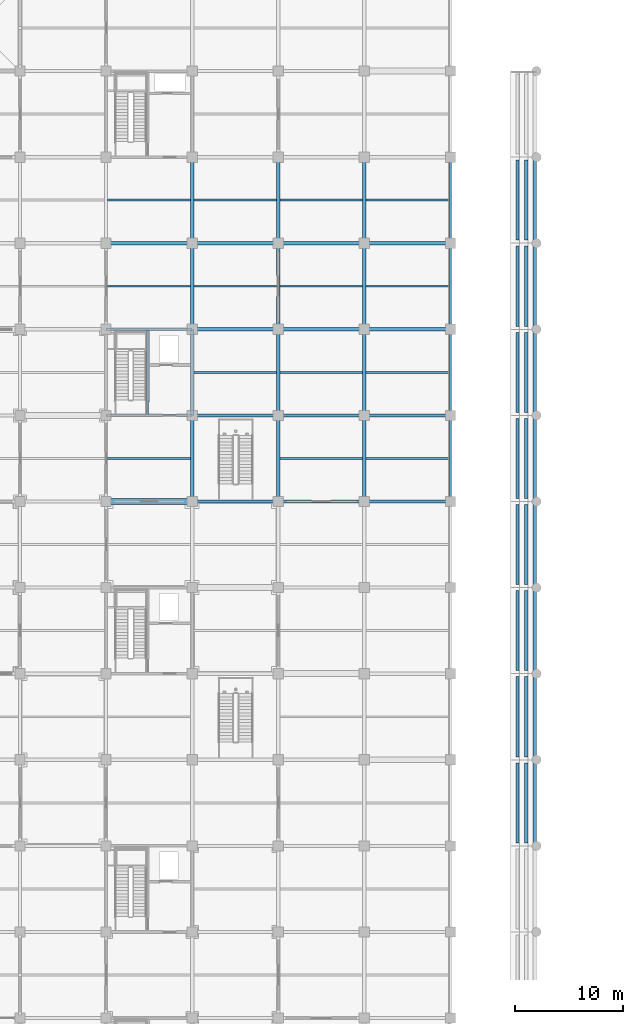
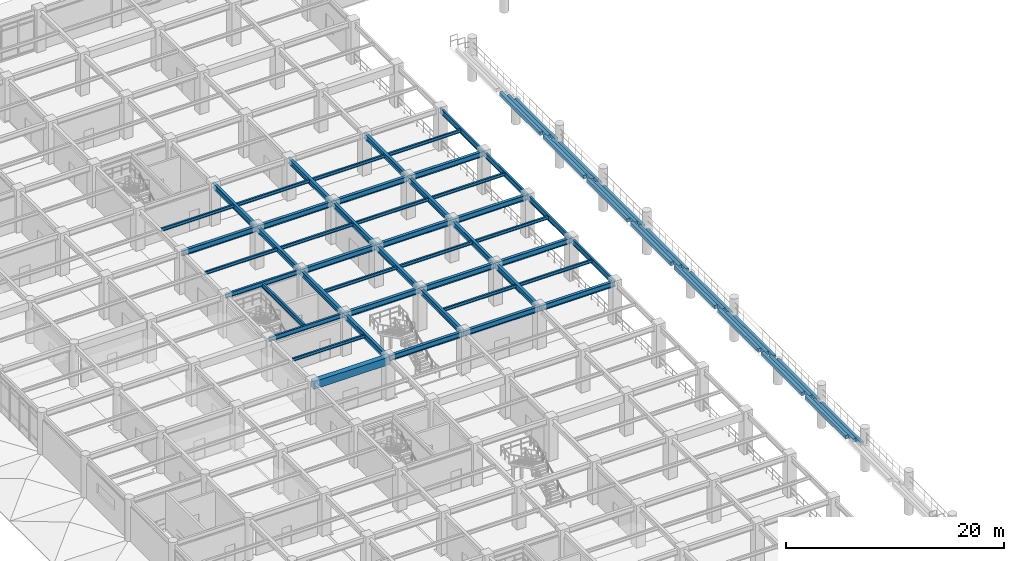
# One storey, part 18 of 109: 71 beams.
"""IFC4 building model written with IfcOpenShell, lengths in metres."""

from ifc_helpers import new_model, si_unit, direction, frame, origin, origin_2d, place, context, subcontext, project, spatial, rectangle, i_section, extrude, material, material_profile, profile_set, type_object, element, save


model = new_model("IFC4")

# Units and contexts
model_context = context("Model", 3, precision=1e-05, world=origin(), true_north=direction((0.0, 1.0)))
body_context = subcontext(model_context, "Body", "Model", "MODEL_VIEW")
ifc_project = project(units=[si_unit("LENGTHUNIT", "METRE"), si_unit("AREAUNIT", "SQUARE_METRE"), si_unit("VOLUMEUNIT", "CUBIC_METRE"), si_unit("PLANEANGLEUNIT", "RADIAN"), si_unit("MASSUNIT", "GRAM", prefix="KILO")], contexts=[model_context])

# Site, building, storey
site_placement = place(None, origin())
site = spatial("IfcSite", under=ifc_project, at=site_placement, CompositionType="ELEMENT")
building_placement = place(site_placement, origin())
building = spatial("IfcBuilding", under=site, at=building_placement, Name="Haebicheon Civic Stadium", CompositionType="ELEMENT")
storey_placement = place(building_placement, frame((0.0, 0.0, 9.60009765625)))
storey = spatial("IfcBuildingStorey", under=building, at=storey_placement, Name="L03", CompositionType="ELEMENT", Elevation=9.60009765625)

# Beams
ifc_material_1 = material(Name="Precast concrete C40/50", Category="concrete")
ifc_material_profile_1 = material_profile(ifc_material_1, rectangle(XDim=0.300048828125, YDim=0.39990234375, at=origin_2d()), Name="PC-LN-300x400")
ifc_profile_set_1 = profile_set([ifc_material_profile_1], Name="Precast concrete C40/50")
beam_type_1 = type_object("IfcBeamType", Name="BM-LN-300x400", PredefinedType="LINTEL", material=ifc_profile_set_1)
for number, where, z_axis, x_axis, name in (
    (1, (71.840087890625, 64.280029296875, 2.760009765625), (0.0, 1.0, 0.0), (-1.0, 0.0, 0.0), "TIER-W-U precast step carrier beam 3.1"),
    (2, (71.0400390625, 64.280029296875, 3.40380859375), (0.0, 1.0, 0.0), (-1.0, 0.0, 0.0), "TIER-W-U precast step carrier beam 3.2"),
    (3, (70.239990234375, 64.280029296875, 4.048828125), (0.0, 1.0, 0.0), (-1.0, 0.0, 0.0), "TIER-W-U precast step carrier beam 3.3"),
    (4, (71.840087890625, 72.280029296875, 2.760009765625), (0.0, 1.0, 0.0), (-1.0, 0.0, 0.0), "TIER-W-U precast step carrier beam 4.1"),
    (5, (71.0400390625, 72.280029296875, 3.40380859375), (0.0, 1.0, 0.0), (-1.0, 0.0, 0.0), "TIER-W-U precast step carrier beam 4.2"),
    (6, (70.239990234375, 72.280029296875, 4.048828125), (0.0, 1.0, 0.0), (-1.0, 0.0, 0.0), "TIER-W-U precast step carrier beam 4.3"),
    (7, (71.840087890625, 80.280029296875, 2.760009765625), (0.0, 1.0, 0.0), (-1.0, 0.0, 0.0), "TIER-W-U precast step carrier beam 5.1"),
    (8, (71.0400390625, 80.280029296875, 3.40380859375), (0.0, 1.0, 0.0), (-1.0, 0.0, 0.0), "TIER-W-U precast step carrier beam 5.2"),
    (9, (70.239990234375, 80.280029296875, 4.048828125), (0.0, 1.0, 0.0), (-1.0, 0.0, 0.0), "TIER-W-U precast step carrier beam 5.3"),
    (10, (71.840087890625, 88.280029296875, 2.760009765625), (0.0, 1.0, 0.0), (-1.0, 0.0, 0.0), "TIER-W-U precast step carrier beam 6.1"),
    (11, (71.0400390625, 88.280029296875, 3.40380859375), (0.0, 1.0, 0.0), (-1.0, 0.0, 0.0), "TIER-W-U precast step carrier beam 6.2"),
    (12, (70.239990234375, 88.280029296875, 4.048828125), (0.0, 1.0, 0.0), (-1.0, 0.0, 0.0), "TIER-W-U precast step carrier beam 6.3"),
    (13, (71.840087890625, 96.280029296875, 2.760009765625), (0.0, 1.0, 0.0), (-1.0, 0.0, 0.0), "TIER-W-U precast step carrier beam 7.1"),
    (14, (71.0400390625, 96.280029296875, 3.40380859375), (0.0, 1.0, 0.0), (-1.0, 0.0, 0.0), "TIER-W-U precast step carrier beam 7.2"),
    (15, (70.239990234375, 96.280029296875, 4.048828125), (0.0, 1.0, 0.0), (-1.0, 0.0, 0.0), "TIER-W-U precast step carrier beam 7.3"),
    (16, (71.840087890625, 104.280029296875, 2.760009765625), (0.0, 1.0, 0.0), (-1.0, 0.0, 0.0), "TIER-W-U precast step carrier beam 8.1"),
    (17, (71.0400390625, 104.280029296875, 3.40380859375), (0.0, 1.0, 0.0), (-1.0, 0.0, 0.0), "TIER-W-U precast step carrier beam 8.2"),
    (18, (70.239990234375, 104.280029296875, 4.048828125), (0.0, 1.0, 0.0), (-1.0, 0.0, 0.0), "TIER-W-U precast step carrier beam 8.3"),
    (19, (71.840087890625, 112.280029296875, 2.760009765625), (0.0, 1.0, 0.0), (-1.0, 0.0, 0.0), "TIER-W-U precast step carrier beam 9.1"),
    (20, (71.0400390625, 112.280029296875, 3.40380859375), (0.0, 1.0, 0.0), (-1.0, 0.0, 0.0), "TIER-W-U precast step carrier beam 9.2"),
    (21, (70.239990234375, 112.280029296875, 4.048828125), (0.0, 1.0, 0.0), (-1.0, 0.0, 0.0), "TIER-W-U precast step carrier beam 9.3"),
    (22, (71.840087890625, 120.280029296875, 2.760009765625), (0.0, 1.0, 0.0), (-1.0, 0.0, 0.0), "TIER-W-U precast step carrier beam 10.1"),
    (23, (71.0400390625, 120.280029296875, 3.40380859375), (0.0, 1.0, 0.0), (-1.0, 0.0, 0.0), "TIER-W-U precast step carrier beam 10.2"),
    (24, (70.239990234375, 120.280029296875, 4.048828125), (0.0, 1.0, 0.0), (-1.0, 0.0, 0.0), "TIER-W-U precast step carrier beam 10.3"),
):
    element("IfcBeam", number, at=place(storey_placement, frame(where, z_axis=z_axis, x_axis=x_axis)), inside=storey, type_object=beam_type_1, material=ifc_profile_set_1, Name=name, PredefinedType="LINTEL", context=body_context, shape_type="SweptSolid", body=[
        extrude(rectangle(XDim=0.300048828125, YDim=0.39990234375, at=origin_2d()), origin(), (0.0, 0.0, 1.0), 7.43994140625),
    ])
ifc_material_2 = material(Name="Concrete C40/50", Category="concrete")
ifc_material_profile_2 = material_profile(ifc_material_2, rectangle(XDim=0.550048828125, YDim=0.85009765625, at=origin_2d()), Name="RC-BM-550x850")
ifc_profile_set_2 = profile_set([ifc_material_profile_2], Name="Concrete C40/50")
beam_type_2 = type_object("IfcBeamType", Name="BM-RC-550x850", PredefinedType="BEAM", material=ifc_profile_set_2)
beam_1_placement = place(storey_placement, frame((32.0, 96.0, 4.114990234375), z_axis=(1.0, 0.0, 0.0), x_axis=(0.0, 1.0, 0.0)))
element("IfcBeam", 25, at=beam_1_placement, inside=storey, type_object=beam_type_2, material=ifc_profile_set_2, Name="L03 beam N/5-6", PredefinedType="BEAM", context=body_context, shape_type="SweptSolid", body=[
    extrude(rectangle(XDim=0.550048828125, YDim=0.85009765625, at=origin_2d()), origin(), (0.0, 0.0, 1.0), 8.0),
])
ifc_material_3 = material(Name="Steel SM355 (S355)", Category="steel")
ifc_material_profile_3 = material_profile(ifc_material_3, i_section(OverallWidth=0.199951171875, OverallDepth=0.5, WebThickness=0.010009765625, FlangeThickness=0.01611328125, at=origin_2d()), Name="H-500x200x10x16")
ifc_profile_set_3 = profile_set([ifc_material_profile_3], Name="Steel SM355 (S355)")
beam_type_3 = type_object("IfcBeamType", Name="BM-ST-H500", PredefinedType="BEAM", material=ifc_profile_set_3)
for number, where, z_axis, x_axis, name in (
    (26, (32.0, 104.0, 4.289794921875), (1.0, 0.0, 0.0), (0.0, 1.0, 0.0), "L03 beam P/5-6"),
    (27, (32.0, 112.0, 4.289794921875), (1.0, 0.0, 0.0), (0.0, 1.0, 0.0), "L03 beam Q/5-6"),
):
    element("IfcBeam", number, at=place(storey_placement, frame(where, z_axis=z_axis, x_axis=x_axis)), inside=storey, type_object=beam_type_3, material=ifc_profile_set_3, Name=name, PredefinedType="BEAM", context=body_context, shape_type="SweptSolid", body=[
        extrude(i_section(OverallWidth=0.199951171875, OverallDepth=0.5, WebThickness=0.010009765625, FlangeThickness=0.01611328125, at=origin_2d()), origin(), (0.0, 0.0, 1.0), 8.0),
    ])
beam_2_placement = place(storey_placement, frame((35.8798828125, 104.10009765625, 4.289794921875), z_axis=(0.0, 1.0, 0.0), x_axis=(-1.0, 0.0, 0.0)))
element("IfcBeam", 28, at=beam_2_placement, inside=storey, type_object=beam_type_3, material=ifc_profile_set_3, Name="L03 KC-04 core dividing wall support beam", PredefinedType="BEAM", context=body_context, shape_type="SweptSolid", body=[
    extrude(i_section(OverallWidth=0.199951171875, OverallDepth=0.5, WebThickness=0.010009765625, FlangeThickness=0.01611328125, at=origin_2d()), origin(), (0.0, 0.0, 1.0), 7.7998046875),
])
ifc_material_4 = material(Name="Steel SM355 (S355)", Category="steel")
ifc_material_profile_4 = material_profile(ifc_material_4, i_section(OverallWidth=0.300048828125, OverallDepth=0.60009765625, WebThickness=0.011962890625, FlangeThickness=0.02001953125, at=origin_2d()), Name="H-600x300x12x20")
ifc_profile_set_4 = profile_set([ifc_material_profile_4], Name="Steel SM355 (S355)")
beam_type_4 = type_object("IfcBeamType", Name="BM-ST-H600A", PredefinedType="BEAM", material=ifc_profile_set_4)
for number, where, z_axis, x_axis, name in (
    (29, (40.0, 96.0, 4.239990234375), (0.0, 1.0, 0.0), (-1.0, 0.0, 0.0), "L03 girder 6/N-P"),
    (30, (40.0, 104.0, 4.239990234375), (0.0, 1.0, 0.0), (-1.0, 0.0, 0.0), "L03 girder 6/P-Q"),
    (31, (40.0, 112.0, 4.239990234375), (0.0, 1.0, 0.0), (-1.0, 0.0, 0.0), "L03 girder 6/Q-R"),
    (32, (40.0, 120.0, 4.239990234375), (0.0, 1.0, 0.0), (-1.0, 0.0, 0.0), "L03 girder 6/R-S"),
    (33, (48.0, 96.0, 4.239990234375), (0.0, 1.0, 0.0), (-1.0, 0.0, 0.0), "L03 girder 7/N-P"),
    (34, (48.0, 104.0, 4.239990234375), (0.0, 1.0, 0.0), (-1.0, 0.0, 0.0), "L03 girder 7/P-Q"),
    (35, (48.0, 112.0, 4.239990234375), (0.0, 1.0, 0.0), (-1.0, 0.0, 0.0), "L03 girder 7/Q-R"),
    (36, (48.0, 120.0, 4.239990234375), (0.0, 1.0, 0.0), (-1.0, 0.0, 0.0), "L03 girder 7/R-S"),
    (37, (56.0, 96.0, 4.239990234375), (0.0, 1.0, 0.0), (-1.0, 0.0, 0.0), "L03 girder 8/N-P"),
    (38, (56.0, 104.0, 4.239990234375), (0.0, 1.0, 0.0), (-1.0, 0.0, 0.0), "L03 girder 8/P-Q"),
    (39, (56.0, 112.0, 4.239990234375), (0.0, 1.0, 0.0), (-1.0, 0.0, 0.0), "L03 girder 8/Q-R"),
    (40, (56.0, 120.0, 4.239990234375), (0.0, 1.0, 0.0), (-1.0, 0.0, 0.0), "L03 girder 8/R-S"),
    (41, (32.0, 120.0, 4.239990234375), (1.0, 0.0, 0.0), (0.0, 1.0, 0.0), "L03 beam R/5-6"),
    (42, (40.0, 96.0, 4.239990234375), (1.0, 0.0, 0.0), (0.0, 1.0, 0.0), "L03 beam N/6-7"),
    (43, (40.0, 104.0, 4.239990234375), (1.0, 0.0, 0.0), (0.0, 1.0, 0.0), "L03 beam P/6-7"),
    (44, (40.0, 112.0, 4.239990234375), (1.0, 0.0, 0.0), (0.0, 1.0, 0.0), "L03 beam Q/6-7"),
    (45, (40.0, 120.0, 4.239990234375), (1.0, 0.0, 0.0), (0.0, 1.0, 0.0), "L03 beam R/6-7"),
    (46, (48.0, 96.0, 4.239990234375), (1.0, 0.0, 0.0), (0.0, 1.0, 0.0), "L03 beam N/7-8"),
    (47, (48.0, 104.0, 4.239990234375), (1.0, 0.0, 0.0), (0.0, 1.0, 0.0), "L03 beam P/7-8"),
    (48, (48.0, 112.0, 4.239990234375), (1.0, 0.0, 0.0), (0.0, 1.0, 0.0), "L03 beam Q/7-8"),
    (49, (48.0, 120.0, 4.239990234375), (1.0, 0.0, 0.0), (0.0, 1.0, 0.0), "L03 beam R/7-8"),
    (50, (56.0, 96.0, 4.239990234375), (1.0, 0.0, 0.0), (0.0, 1.0, 0.0), "L03 beam N/8-9"),
    (51, (56.0, 104.0, 4.239990234375), (1.0, 0.0, 0.0), (0.0, 1.0, 0.0), "L03 beam P/8-9"),
    (52, (56.0, 112.0, 4.239990234375), (1.0, 0.0, 0.0), (0.0, 1.0, 0.0), "L03 beam Q/8-9"),
    (53, (56.0, 120.0, 4.239990234375), (1.0, 0.0, 0.0), (0.0, 1.0, 0.0), "L03 beam R/8-9"),
):
    element("IfcBeam", number, at=place(storey_placement, frame(where, z_axis=z_axis, x_axis=x_axis)), inside=storey, type_object=beam_type_4, material=ifc_profile_set_4, Name=name, PredefinedType="BEAM", context=body_context, shape_type="SweptSolid", body=[
        extrude(i_section(OverallWidth=0.300048828125, OverallDepth=0.60009765625, WebThickness=0.011962890625, FlangeThickness=0.02001953125, at=origin_2d()), origin(), (0.0, 0.0, 1.0), 8.0),
    ])
ifc_material_5 = material(Name="Steel SM355 (S355)", Category="steel")
ifc_material_profile_5 = material_profile(ifc_material_5, i_section(OverallWidth=0.175048828125, OverallDepth=0.35009765625, WebThickness=0.007080078125, FlangeThickness=0.010986328125, at=origin_2d()), Name="H-350x175x7x11")
ifc_profile_set_5 = profile_set([ifc_material_profile_5], Name="Steel SM355 (S355)")
beam_type_5 = type_object("IfcBeamType", Name="JST-ST-H350", PredefinedType="JOIST", material=ifc_profile_set_5)
for number, where, z_axis, x_axis, name in (
    (54, (32.14990234375, 100.0, 4.364990234375), (1.0, 0.0, 0.0), (0.0, 1.0, 0.0), "L03 secondary joist 04-12"),
    (55, (32.14990234375, 116.0, 4.364990234375), (1.0, 0.0, 0.0), (0.0, 1.0, 0.0), "L03 secondary joist 04-14"),
    (56, (32.14990234375, 124.0, 4.364990234375), (1.0, 0.0, 0.0), (0.0, 1.0, 0.0), "L03 secondary joist 04-15"),
    (57, (40.14990234375, 108.0, 4.364990234375), (1.0, 0.0, 0.0), (0.0, 1.0, 0.0), "L03 secondary joist 05-13"),
    (58, (40.14990234375, 116.0, 4.364990234375), (1.0, 0.0, 0.0), (0.0, 1.0, 0.0), "L03 secondary joist 05-14"),
    (59, (40.14990234375, 124.0, 4.364990234375), (1.0, 0.0, 0.0), (0.0, 1.0, 0.0), "L03 secondary joist 05-15"),
    (60, (48.14990234375, 100.0, 4.364990234375), (1.0, 0.0, 0.0), (0.0, 1.0, 0.0), "L03 secondary joist 06-12"),
    (61, (48.14990234375, 108.0, 4.364990234375), (1.0, 0.0, 0.0), (0.0, 1.0, 0.0), "L03 secondary joist 06-13"),
    (62, (48.14990234375, 116.0, 4.364990234375), (1.0, 0.0, 0.0), (0.0, 1.0, 0.0), "L03 secondary joist 06-14"),
    (63, (48.14990234375, 124.0, 4.364990234375), (1.0, 0.0, 0.0), (0.0, 1.0, 0.0), "L03 secondary joist 06-15"),
):
    element("IfcBeam", number, at=place(storey_placement, frame(where, z_axis=z_axis, x_axis=x_axis)), inside=storey, type_object=beam_type_5, material=ifc_profile_set_5, Name=name, PredefinedType="JOIST", context=body_context, shape_type="SweptSolid", body=[
        extrude(i_section(OverallWidth=0.175048828125, OverallDepth=0.35009765625, WebThickness=0.007080078125, FlangeThickness=0.010986328125, at=origin_2d()), origin(), (0.0, 0.0, 1.0), 7.7001953125),
    ])
for number, where, z_axis, x_axis, name in (
    (64, (56.14990234375, 100.0, 4.364990234375), (1.0, 0.0, 0.0), (0.0, 1.0, 0.0), "L03 secondary joist 07-12"),
    (65, (56.14990234375, 108.0, 4.364990234375), (1.0, 0.0, 0.0), (0.0, 1.0, 0.0), "L03 secondary joist 07-13"),
    (66, (56.14990234375, 116.0, 4.364990234375), (1.0, 0.0, 0.0), (0.0, 1.0, 0.0), "L03 secondary joist 07-14"),
    (67, (56.14990234375, 124.0, 4.364990234375), (1.0, 0.0, 0.0), (0.0, 1.0, 0.0), "L03 secondary joist 07-15"),
):
    element("IfcBeam", number, at=place(storey_placement, frame(where, z_axis=z_axis, x_axis=x_axis)), inside=storey, type_object=beam_type_5, material=ifc_profile_set_5, Name=name, PredefinedType="JOIST", context=body_context, shape_type="SweptSolid", body=[
        extrude(i_section(OverallWidth=0.175048828125, OverallDepth=0.35009765625, WebThickness=0.007080078125, FlangeThickness=0.010986328125, at=origin_2d()), origin(), (0.0, 0.0, 1.0), 7.75),
    ])
ifc_material_6 = material(Name="Steel SM355 (S355)", Category="steel")
ifc_material_profile_6 = material_profile(ifc_material_6, i_section(OverallWidth=0.199951171875, OverallDepth=0.60009765625, WebThickness=0.010986328125, FlangeThickness=0.01708984375, at=origin_2d()), Name="H-600x200x11x17")
ifc_profile_set_6 = profile_set([ifc_material_profile_6], Name="Steel SM355 (S355)")
beam_type_6 = type_object("IfcBeamType", Name="SPD-ST-H600B", PredefinedType="SPANDREL", material=ifc_profile_set_6)
for number, where, z_axis, x_axis, name in (
    (68, (64.0, 96.0, 4.239990234375), (0.0, 1.0, 0.0), (-1.0, 0.0, 0.0), "L03 girder 9/N-P"),
    (69, (64.0, 104.0, 4.239990234375), (0.0, 1.0, 0.0), (-1.0, 0.0, 0.0), "L03 girder 9/P-Q"),
    (70, (64.0, 112.0, 4.239990234375), (0.0, 1.0, 0.0), (-1.0, 0.0, 0.0), "L03 girder 9/Q-R"),
    (71, (64.0, 120.0, 4.239990234375), (0.0, 1.0, 0.0), (-1.0, 0.0, 0.0), "L03 girder 9/R-S"),
):
    element("IfcBeam", number, at=place(storey_placement, frame(where, z_axis=z_axis, x_axis=x_axis)), inside=storey, type_object=beam_type_6, material=ifc_profile_set_6, Name=name, PredefinedType="SPANDREL", context=body_context, shape_type="SweptSolid", body=[
        extrude(i_section(OverallWidth=0.199951171875, OverallDepth=0.60009765625, WebThickness=0.010986328125, FlangeThickness=0.01708984375, at=origin_2d()), origin(), (0.0, 0.0, 1.0), 8.0),
    ])

save(model, "model.ifc")
